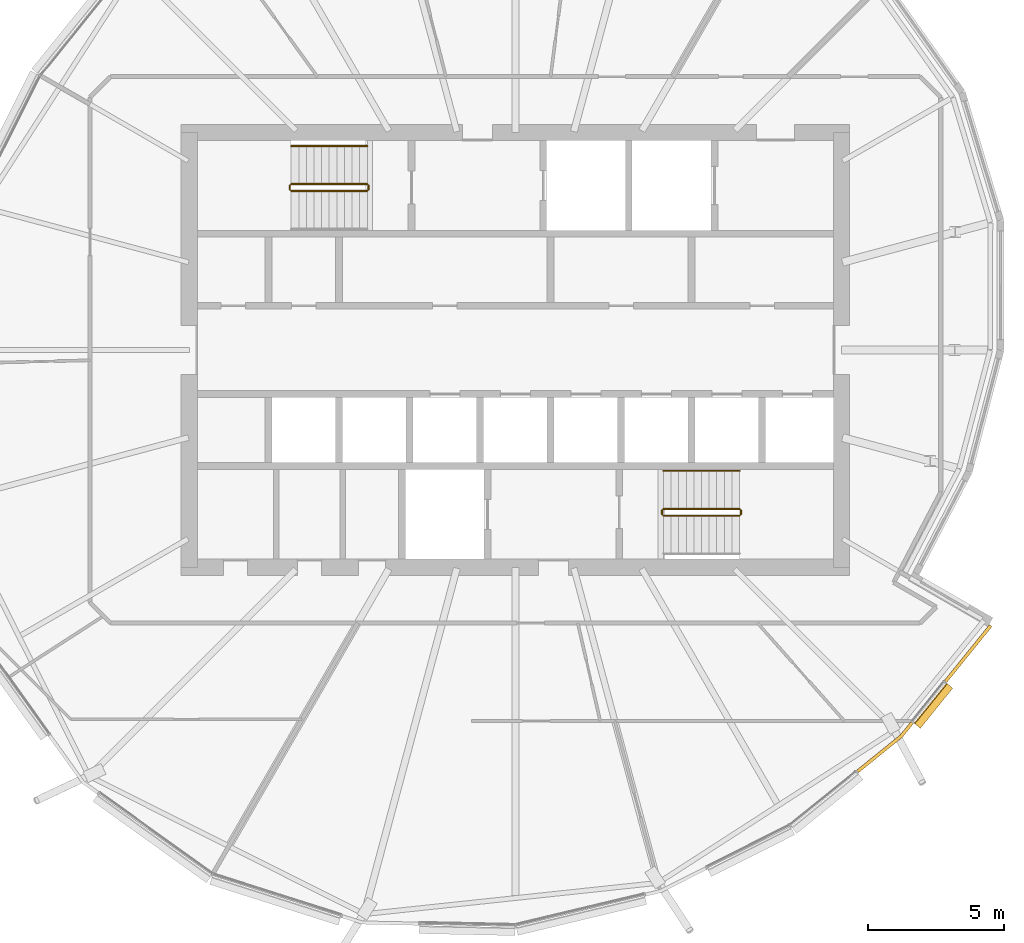
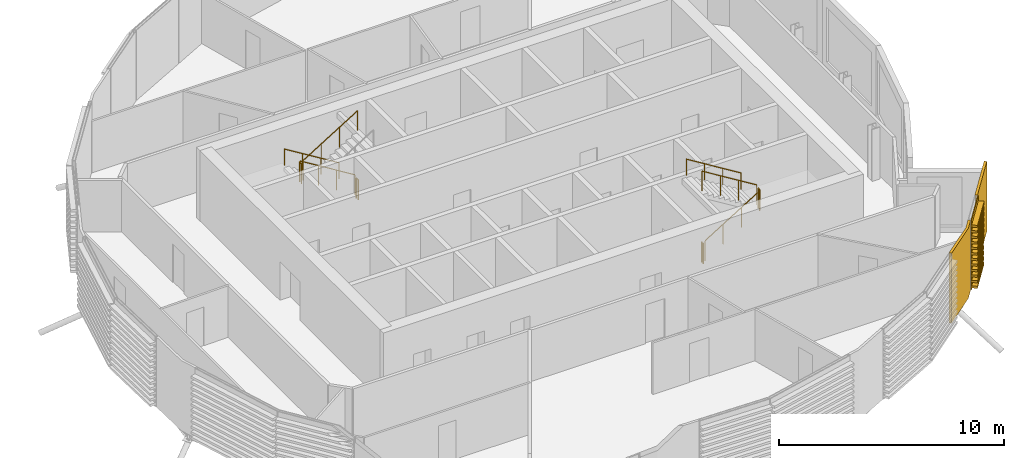
# One storey, part 36 of 37: 10 railings, 3 coverings.
"""IFC4 building model written with IfcOpenShell, lengths in metres."""

from ifc_helpers import new_model, si_unit, direction, frame, origin, origin_2d, place, context, subcontext, project, spatial, polyline, circle, outline, extrude, material, layer, layer_set, material_profile, profile_set, type_object, element, save


model = new_model("IFC4")

# Units and contexts
model_context = context("Model", 3, precision=1e-05, world=origin(), true_north=direction((0.0, 1.0)))
body_context = subcontext(model_context, "Body", "Model", "MODEL_VIEW")
ifc_project = project(units=[si_unit("LENGTHUNIT", "METRE"), si_unit("AREAUNIT", "SQUARE_METRE"), si_unit("VOLUMEUNIT", "CUBIC_METRE"), si_unit("PLANEANGLEUNIT", "RADIAN"), si_unit("MASSUNIT", "GRAM", prefix="KILO")], contexts=[model_context])

# Site, building, storey
site_placement = place(None, origin())
site = spatial("IfcSite", under=ifc_project, at=site_placement, CompositionType="ELEMENT")
building_placement = place(site_placement, origin())
building = spatial("IfcBuilding", under=site, at=building_placement, Name="Rimbun Link Towers", CompositionType="ELEMENT")
storey_placement = place(building_placement, frame((0.0, 0.0, 162.699951171875)))
storey = spatial("IfcBuildingStorey", under=building, at=storey_placement, Name="L39", CompositionType="ELEMENT", Elevation=162.699951171875)

# Coverings
ifc_material_1 = material(Name="Terracotta", Category="masonry")
ifc_layer = layer(ifc_material_1, 0.1201171875)
ifc_layer_set = layer_set([ifc_layer], Name="LINK PIER terracotta cladding 120")
covering_type_1 = type_object("IfcCoveringType", Name="LINK PIER terracotta cladding 120", PredefinedType="CLADDING", material=ifc_layer_set)
covering_1_placement = place(storey_placement, origin())
element("IfcCovering", 1, at=covering_1_placement, inside=storey, type_object=covering_type_1, Name="LINK PIER cladding", PredefinedType="CLADDING", context=body_context, shape_type="SweptSolid", body=[
    extrude(outline(polyline([(49.198486328125, -10.108154296875), (47.53759765625, -12.16015625), (47.630859375, -12.235595703125), (49.291748046875, -10.18359375), (49.198486328125, -10.108154296875)])), origin(), (0.0, 0.0, 1.0), 3.800048828125),
])
covering_2_placement = place(storey_placement, origin())
element("IfcCovering", 2, at=covering_2_placement, inside=storey, type_object=covering_type_1, Name="LINK PIER cladding", PredefinedType="CLADDING", context=body_context, shape_type="SweptSolid", body=[
    extrude(outline(polyline([(46.304931640625, -13.682861328125), (45.914794921875, -14.164794921875), (44.305908203125, -15.46728515625), (44.38134765625, -15.560546875), (46.0, -14.25), (46.398193359375, -13.75830078125), (46.304931640625, -13.682861328125)])), origin(), (0.0, 0.0, 1.0), 3.800048828125),
])

# Railings
ifc_material_2 = material(Name="Stainless steel grade 316", Category="steel")
railing_type_1 = type_object("IfcRailingType", Name="Stair guard", PredefinedType="GUARDRAIL", material=ifc_material_2)
railing_1_placement = place(storey_placement, frame((26.300048828125, 6.10009765625, 0.1728515625)))
element("IfcRailing", 3, at=railing_1_placement, inside=storey, type_object=railing_type_1, Name="L39 ST3 stair guard 1", PredefinedType="GUARDRAIL", context=body_context, shape_type="SweptSolid", body=[
    extrude(circle(Radius=0.02392578125, at=origin_2d()), frame((0.0, 0.0, 1.076171875), z_axis=(-0.851089632645, 0.0, 0.525020415988), x_axis=(0.0, -1.0, 0.0)), (0.0, 0.0, 1.0), 3.2900390625),
    extrude(circle(Radius=0.02099609375, at=origin_2d()), origin(), (0.0, 0.0, 1.0), 1.052001953125),
    extrude(circle(Radius=0.02099609375, at=origin_2d()), frame((-0.933349609375, 0.0, 0.57568359375)), (0.0, 0.0, 1.0), 1.052001953125),
    extrude(circle(Radius=0.02099609375, at=origin_2d()), frame((-1.86669921875, 0.0, 1.151611328125)), (0.0, 0.0, 1.0), 1.052001953125),
    extrude(circle(Radius=0.02099609375, at=origin_2d()), frame((-2.800048828125, 0.0, 1.727294921875)), (0.0, 0.0, 1.0), 1.052001953125),
])
railing_2_placement = place(storey_placement, frame((23.449951171875, 6.050048828125, 1.900146484375)))
element("IfcRailing", 4, at=railing_2_placement, inside=storey, type_object=railing_type_1, Name="L39 ST3 stair guard 2", PredefinedType="GUARDRAIL", context=body_context, shape_type="SweptSolid", body=[
    extrude(circle(Radius=0.02392578125, at=origin_2d()), frame((0.0, 0.0, 1.076171875), z_axis=(0.0, -1.0, 0.0), x_axis=(1.0, 0.0, 0.0)), (0.0, 0.0, 1.0), 0.150146484375),
    extrude(circle(Radius=0.02099609375, at=origin_2d()), origin(), (0.0, 0.0, 1.0), 1.052001953125),
    extrude(circle(Radius=0.02099609375, at=origin_2d()), frame((0.0, -0.150146484375, 0.0)), (0.0, 0.0, 1.0), 1.052001953125),
])
railing_3_placement = place(storey_placement, frame((23.5, 5.85009765625, 2.07275390625)))
element("IfcRailing", 5, at=railing_3_placement, inside=storey, type_object=railing_type_1, Name="L39 ST3 stair guard 3", PredefinedType="GUARDRAIL", context=body_context, shape_type="SweptSolid", body=[
    extrude(circle(Radius=0.02392578125, at=origin_2d()), frame((0.0, 0.0, 1.076171875), z_axis=(0.851089632645, 0.0, 0.525020415988), x_axis=(0.0, 1.0, 0.0)), (0.0, 0.0, 1.0), 3.2900390625),
    extrude(circle(Radius=0.02099609375, at=origin_2d()), origin(), (0.0, 0.0, 1.0), 1.052001953125),
    extrude(circle(Radius=0.02099609375, at=origin_2d()), frame((0.933349609375, 0.0, 0.57568359375)), (0.0, 0.0, 1.0), 1.052001953125),
    extrude(circle(Radius=0.02099609375, at=origin_2d()), frame((1.86669921875, 0.0, 1.151611328125)), (0.0, 0.0, 1.0), 1.052001953125),
    extrude(circle(Radius=0.02099609375, at=origin_2d()), frame((2.800048828125, 0.0, 1.727294921875)), (0.0, 0.0, 1.0), 1.052001953125),
])
railing_4_placement = place(storey_placement, frame((26.35009765625, 6.050048828125, 0.0)))
element("IfcRailing", 6, at=railing_4_placement, inside=storey, type_object=railing_type_1, Name="L39 ST3 stair guard 4", PredefinedType="GUARDRAIL", context=body_context, shape_type="SweptSolid", body=[
    extrude(circle(Radius=0.02392578125, at=origin_2d()), frame((0.0, 0.0, 1.076171875), z_axis=(0.0, -1.0, 0.0), x_axis=(1.0, 0.0, 0.0)), (0.0, 0.0, 1.0), 0.150146484375),
    extrude(circle(Radius=0.02099609375, at=origin_2d()), origin(), (0.0, 0.0, 1.0), 1.052001953125),
    extrude(circle(Radius=0.02099609375, at=origin_2d()), frame((0.0, -0.150146484375, 0.0)), (0.0, 0.0, 1.0), 1.052001953125),
])
railing_5_placement = place(storey_placement, frame((37.199951171875, -6.10009765625, 0.1728515625)))
element("IfcRailing", 7, at=railing_5_placement, inside=storey, type_object=railing_type_1, Name="L39 ST4 stair guard 1", PredefinedType="GUARDRAIL", context=body_context, shape_type="SweptSolid", body=[
    extrude(circle(Radius=0.02392578125, at=origin_2d()), frame((0.0, 0.0, 1.076171875), z_axis=(0.851089632645, 0.0, 0.525020415988), x_axis=(0.0, 1.0, 0.0)), (0.0, 0.0, 1.0), 3.2900390625),
    extrude(circle(Radius=0.02099609375, at=origin_2d()), origin(), (0.0, 0.0, 1.0), 1.052001953125),
    extrude(circle(Radius=0.02099609375, at=origin_2d()), frame((0.933349609375, 0.0, 0.57568359375)), (0.0, 0.0, 1.0), 1.052001953125),
    extrude(circle(Radius=0.02099609375, at=origin_2d()), frame((1.86669921875, 0.0, 1.151611328125)), (0.0, 0.0, 1.0), 1.052001953125),
    extrude(circle(Radius=0.02099609375, at=origin_2d()), frame((2.800048828125, 0.0, 1.727294921875)), (0.0, 0.0, 1.0), 1.052001953125),
])
railing_6_placement = place(storey_placement, frame((40.050048828125, -6.050048828125, 1.900146484375)))
element("IfcRailing", 8, at=railing_6_placement, inside=storey, type_object=railing_type_1, Name="L39 ST4 stair guard 2", PredefinedType="GUARDRAIL", context=body_context, shape_type="SweptSolid", body=[
    extrude(circle(Radius=0.02392578125, at=origin_2d()), frame((0.0, 0.0, 1.076171875), z_axis=(0.0, 1.0, 0.0), x_axis=(-1.0, 0.0, 0.0)), (0.0, 0.0, 1.0), 0.150146484375),
    extrude(circle(Radius=0.02099609375, at=origin_2d()), origin(), (0.0, 0.0, 1.0), 1.052001953125),
    extrude(circle(Radius=0.02099609375, at=origin_2d()), frame((0.0, 0.150146484375, 0.0)), (0.0, 0.0, 1.0), 1.052001953125),
])
railing_7_placement = place(storey_placement, frame((40.0, -5.85009765625, 2.07275390625)))
element("IfcRailing", 9, at=railing_7_placement, inside=storey, type_object=railing_type_1, Name="L39 ST4 stair guard 3", PredefinedType="GUARDRAIL", context=body_context, shape_type="SweptSolid", body=[
    extrude(circle(Radius=0.02392578125, at=origin_2d()), frame((0.0, 0.0, 1.076171875), z_axis=(-0.851089632645, 0.0, 0.525020415988), x_axis=(0.0, -1.0, 0.0)), (0.0, 0.0, 1.0), 3.2900390625),
    extrude(circle(Radius=0.02099609375, at=origin_2d()), origin(), (0.0, 0.0, 1.0), 1.052001953125),
    extrude(circle(Radius=0.02099609375, at=origin_2d()), frame((-0.933349609375, 0.0, 0.57568359375)), (0.0, 0.0, 1.0), 1.052001953125),
    extrude(circle(Radius=0.02099609375, at=origin_2d()), frame((-1.86669921875, 0.0, 1.151611328125)), (0.0, 0.0, 1.0), 1.052001953125),
    extrude(circle(Radius=0.02099609375, at=origin_2d()), frame((-2.800048828125, 0.0, 1.727294921875)), (0.0, 0.0, 1.0), 1.052001953125),
])
railing_8_placement = place(storey_placement, frame((37.14990234375, -6.050048828125, 0.0)))
element("IfcRailing", 10, at=railing_8_placement, inside=storey, type_object=railing_type_1, Name="L39 ST4 stair guard 4", PredefinedType="GUARDRAIL", context=body_context, shape_type="SweptSolid", body=[
    extrude(circle(Radius=0.02392578125, at=origin_2d()), frame((0.0, 0.0, 1.076171875), z_axis=(0.0, 1.0, 0.0), x_axis=(-1.0, 0.0, 0.0)), (0.0, 0.0, 1.0), 0.150146484375),
    extrude(circle(Radius=0.02099609375, at=origin_2d()), origin(), (0.0, 0.0, 1.0), 1.052001953125),
    extrude(circle(Radius=0.02099609375, at=origin_2d()), frame((0.0, 0.150146484375, 0.0)), (0.0, 0.0, 1.0), 1.052001953125),
])
ifc_material_3 = material(Name="Stainless steel grade 316", Category="steel")
railing_type_2 = type_object("IfcRailingType", Name="Stair handrail", PredefinedType="HANDRAIL", material=ifc_material_3)
for number, where, name in (
    (11, (26.300048828125, 7.5, 0.1728515625), "L39 ST3 stair handrail 1"),
    (12, (40.0, -4.449951171875, 2.07275390625), "L39 ST4 stair handrail 2"),
):
    element("IfcRailing", number, at=place(storey_placement, frame(where)), inside=storey, type_object=railing_type_2, Name=name, PredefinedType="HANDRAIL", context=body_context, shape_type="SweptSolid", body=[
        extrude(circle(Radius=0.02392578125, at=origin_2d()), frame((0.0, 0.0, 0.8759765625), z_axis=(-0.851089632645, 0.0, 0.525020415988), x_axis=(0.0, -1.0, 0.0)), (0.0, 0.0, 1.0), 3.2900390625),
        extrude(circle(Radius=0.02099609375, at=origin_2d()), origin(), (0.0, 0.0, 1.0), 0.851806640625),
        extrude(circle(Radius=0.02099609375, at=origin_2d()), frame((-0.933349609375, 0.0, 0.57568359375)), (0.0, 0.0, 1.0), 0.851806640625),
        extrude(circle(Radius=0.02099609375, at=origin_2d()), frame((-1.86669921875, 0.0, 1.151611328125)), (0.0, 0.0, 1.0), 0.851806640625),
        extrude(circle(Radius=0.02099609375, at=origin_2d()), frame((-2.800048828125, 0.0, 1.727294921875)), (0.0, 0.0, 1.0), 0.851806640625),
    ])

# Covering
ifc_material_4 = material(Name="Terracotta", Category="masonry")
ifc_material_profile = material_profile(ifc_material_4, outline(polyline([(0.123046875, 0.0), (0.1630859375, 0.0), (0.1630859375, 0.10009765625), (0.423095703125, 0.10009765625), (0.423095703125, 0.219970703125), (0.1630859375, 0.219970703125), (0.1630859375, 0.39990234375), (0.423095703125, 0.39990234375), (0.423095703125, 0.52001953125), (0.1630859375, 0.52001953125), (0.1630859375, 0.699951171875), (0.423095703125, 0.699951171875), (0.423095703125, 0.820068359375), (0.1630859375, 0.820068359375), (0.1630859375, 1.0), (0.423095703125, 1.0), (0.423095703125, 1.1201171875), (0.1630859375, 1.1201171875), (0.1630859375, 1.300048828125), (0.423095703125, 1.300048828125), (0.423095703125, 1.419921875), (0.1630859375, 1.419921875), (0.1630859375, 1.60009765625), (0.423095703125, 1.60009765625), (0.423095703125, 1.719970703125), (0.1630859375, 1.719970703125), (0.1630859375, 1.89990234375), (0.423095703125, 1.89990234375), (0.423095703125, 2.02001953125), (0.1630859375, 2.02001953125), (0.1630859375, 2.199951171875), (0.423095703125, 2.199951171875), (0.423095703125, 2.320068359375), (0.1630859375, 2.320068359375), (0.1630859375, 2.5), (0.423095703125, 2.5), (0.423095703125, 2.6201171875), (0.1630859375, 2.6201171875), (0.1630859375, 2.800048828125), (0.423095703125, 2.800048828125), (0.423095703125, 2.919921875), (0.1630859375, 2.919921875), (0.1630859375, 3.10009765625), (0.423095703125, 3.10009765625), (0.423095703125, 3.219970703125), (0.1630859375, 3.219970703125), (0.1630859375, 3.39990234375), (0.423095703125, 3.39990234375), (0.423095703125, 3.52001953125), (0.1630859375, 3.52001953125), (0.1630859375, 3.800048828125), (0.123046875, 3.800048828125), (0.123046875, 0.0)])), Name="BAGUETTE 120X300")
ifc_profile_set = profile_set([ifc_material_profile], Name="Terracotta")
covering_type_2 = type_object("IfcCoveringType", Name="TERRACOTTA BAGUETTE 120X300 H3800", PredefinedType="CLADDING", material=ifc_profile_set)
covering_3_placement = place(storey_placement, frame((47.5185546875, -12.183349609375, 0.0), z_axis=(-0.629105776509, -0.777319703831, 0.0), x_axis=(0.777319703831, -0.629105776509, 0.0)))
element("IfcCovering", 13, at=covering_3_placement, inside=storey, type_object=covering_type_2, Name="TERRACOTTA BAGUETTE", PredefinedType="CLADDING", context=body_context, shape_type="SweptSolid", body=[
    extrude(outline(polyline([(0.123046875, 0.0), (0.1630859375, 0.0), (0.1630859375, 0.10009765625), (0.423095703125, 0.10009765625), (0.423095703125, 0.219970703125), (0.1630859375, 0.219970703125), (0.1630859375, 0.39990234375), (0.423095703125, 0.39990234375), (0.423095703125, 0.52001953125), (0.1630859375, 0.52001953125), (0.1630859375, 0.699951171875), (0.423095703125, 0.699951171875), (0.423095703125, 0.820068359375), (0.1630859375, 0.820068359375), (0.1630859375, 1.0), (0.423095703125, 1.0), (0.423095703125, 1.1201171875), (0.1630859375, 1.1201171875), (0.1630859375, 1.300048828125), (0.423095703125, 1.300048828125), (0.423095703125, 1.419921875), (0.1630859375, 1.419921875), (0.1630859375, 1.60009765625), (0.423095703125, 1.60009765625), (0.423095703125, 1.719970703125), (0.1630859375, 1.719970703125), (0.1630859375, 1.89990234375), (0.423095703125, 1.89990234375), (0.423095703125, 2.02001953125), (0.1630859375, 2.02001953125), (0.1630859375, 2.199951171875), (0.423095703125, 2.199951171875), (0.423095703125, 2.320068359375), (0.1630859375, 2.320068359375), (0.1630859375, 2.5), (0.423095703125, 2.5), (0.423095703125, 2.6201171875), (0.1630859375, 2.6201171875), (0.1630859375, 2.800048828125), (0.423095703125, 2.800048828125), (0.423095703125, 2.919921875), (0.1630859375, 2.919921875), (0.1630859375, 3.10009765625), (0.423095703125, 3.10009765625), (0.423095703125, 3.219970703125), (0.1630859375, 3.219970703125), (0.1630859375, 3.39990234375), (0.423095703125, 3.39990234375), (0.423095703125, 3.52001953125), (0.1630859375, 3.52001953125), (0.1630859375, 3.800048828125), (0.123046875, 3.800048828125), (0.123046875, 0.0)])), origin(), (0.0, 0.0, 1.0), 1.899169921875),
])

save(model, "model.ifc")
